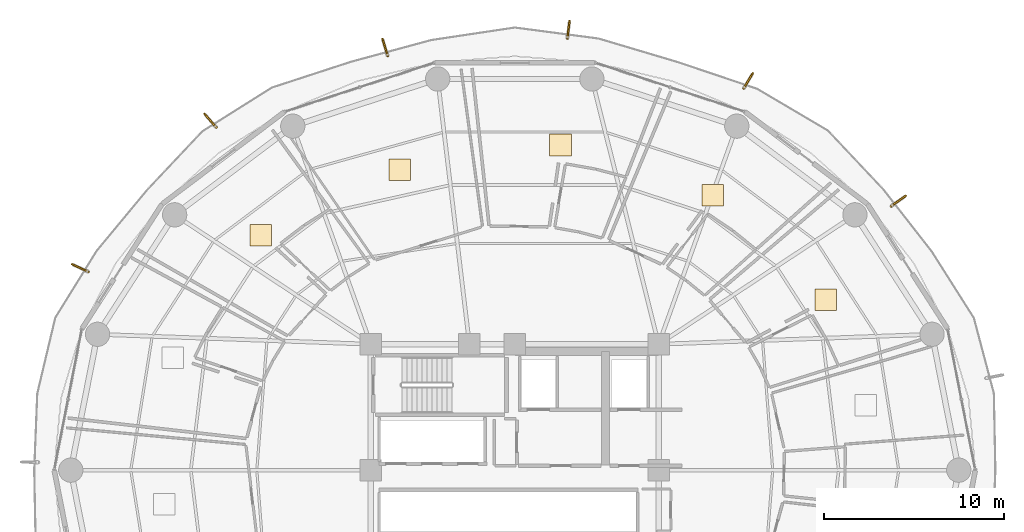
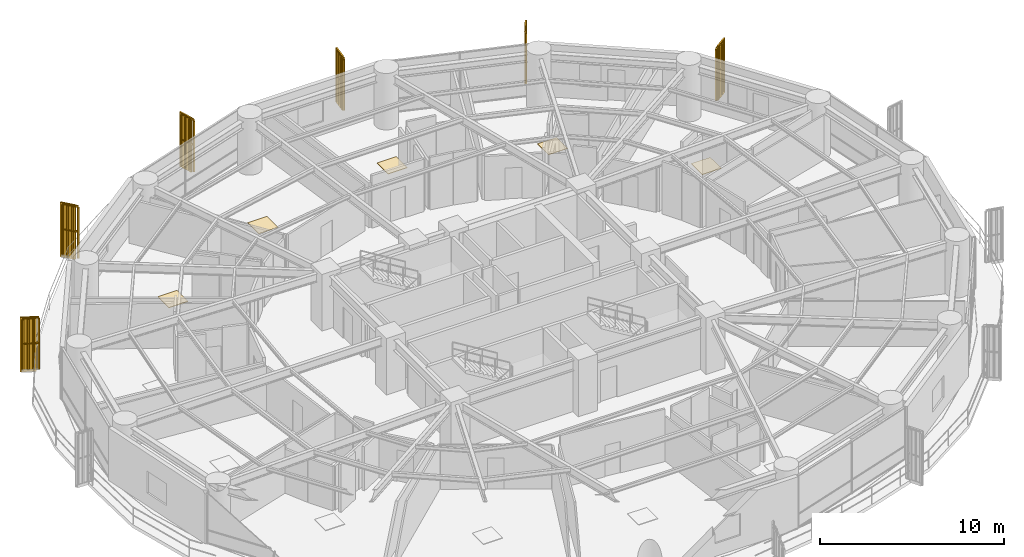
# One storey, part 37 of 37: 6 railings, 6 shading devices, 5 coverings.
"""IFC4 building model written with IfcOpenShell, lengths in metres."""

import ifcopenshell
import ifcopenshell.guid

model = None  # the IFC model being written
_history = None  # IfcOwnerHistory: only IFC2X3 demands one
_inside = {}  # id of a spatial element -> (the spatial element, [elements in it])
_under = {}  # id of a project, library or spatial element -> (it, [spatial elements below it])
_declared = {}  # id of a project -> (the project, [libraries it declares])
_typed = {}  # id of a type object -> (the type object, [elements of that type])
_made_of = {}  # id of a material, layer set ... -> (it, [elements and type objects made of it])


def new_model(schema):
    """Start an empty IFC model of exactly this schema.

    Asked for "IFC4X3", IfcOpenShell would pick the latest addendum, in which some entities
    have other attributes; the version numbers below select the first issue.
    IFC2X3 requires an IfcOwnerHistory on every rooted entity: one is made here for all.
    """
    global model, _history
    if schema == "IFC4X3":
        model = ifcopenshell.file(schema_version=(4, 3, 0, 0))
    else:
        model = ifcopenshell.file(schema=schema)
    _inside.clear()
    _under.clear()
    _declared.clear()
    _typed.clear()
    _made_of.clear()
    _history = None
    if model.schema == "IFC2X3":
        org = make("IfcOrganization", Name="unknown")
        user = make(
            "IfcPersonAndOrganization",
            ThePerson=make("IfcPerson", FamilyName="unknown"),
            TheOrganization=org,
        )
        app = make(
            "IfcApplication",
            ApplicationDeveloper=org,
            Version="unknown",
            ApplicationFullName="unknown",
            ApplicationIdentifier="unknown",
        )
        _history = make(
            "IfcOwnerHistory",
            OwningUser=user,
            OwningApplication=app,
            ChangeAction="ADDED",
            CreationDate=0,
        )
    return model


def make(cls, **values):
    """One entity of the class cls with the attributes given. An attribute that is None is left unset."""
    return model.create_entity(
        cls, **{name: value for name, value in values.items() if value is not None}
    )


def rooted(cls, **values):
    """An entity with a GlobalId (a new one), such as an element, a storey or a relation."""
    return make(cls, GlobalId=ifcopenshell.guid.new(), OwnerHistory=_history, **values)


def si_unit(unit_type, name, prefix=None):
    """IfcSIUnit, for example si_unit("LENGTHUNIT", "METRE", prefix="MILLI")."""
    return make("IfcSIUnit", UnitType=unit_type, Prefix=prefix, Name=name)


def assignment(units):
    """IfcUnitAssignment: the units of a project."""
    return None if units is None else make("IfcUnitAssignment", Units=units)


def point(xyz):
    """IfcCartesianPoint."""
    return None if xyz is None else make("IfcCartesianPoint", Coordinates=xyz)


def direction(xyz):
    """IfcDirection."""
    return None if xyz is None else make("IfcDirection", DirectionRatios=xyz)


def frame(location, z_axis=None, x_axis=None):
    """IfcAxis2Placement3D, a coordinate frame: its origin and axes. An axis left out is left unset."""
    return make(
        "IfcAxis2Placement3D",
        Location=point(location),
        Axis=direction(z_axis),
        RefDirection=direction(x_axis),
    )


def frame_2d(location, x_axis=None):
    """IfcAxis2Placement2D, a coordinate frame in the plane: its origin and x axis."""
    return make(
        "IfcAxis2Placement2D", Location=point(location), RefDirection=direction(x_axis)
    )


def origin():
    """The frame at (0, 0, 0) with its axes left unset."""
    return frame((0.0, 0.0, 0.0))


def origin_2d():
    """The frame at (0, 0) in the plane with its x axis left unset."""
    return frame_2d((0.0, 0.0))


def place(relative_to, where):
    """IfcLocalPlacement: puts the frame where relative to a parent placement (None: the world)."""
    return make(
        "IfcLocalPlacement", PlacementRelTo=relative_to, RelativePlacement=where
    )


def context(
    kind, dimensions, precision=None, world=None, true_north=None, identifier=None
):
    """IfcGeometricRepresentationContext, for example the 3D "Model" context."""
    return make(
        "IfcGeometricRepresentationContext",
        ContextIdentifier=identifier,
        ContextType=kind,
        CoordinateSpaceDimension=dimensions,
        Precision=precision,
        WorldCoordinateSystem=world,
        TrueNorth=true_north,
    )


def subcontext(parent, identifier, kind, view, scale=None):
    """IfcGeometricRepresentationSubContext, for example "Body" below "Model"."""
    return make(
        "IfcGeometricRepresentationSubContext",
        ContextIdentifier=identifier,
        ContextType=kind,
        ParentContext=parent,
        TargetScale=scale,
        TargetView=view,
    )


def project(units=None, contexts=None):
    """IfcProject with its units and contexts."""
    return rooted(
        "IfcProject",
        Name="project",
        RepresentationContexts=contexts,
        UnitsInContext=assignment(units),
    )


def spatial(cls, under=None, at=None, **own):
    """A site, building, storey or space (cls), placed at a placement, below another one or the project."""
    s = rooted(cls, ObjectPlacement=at, **own)
    if under is not None:
        _under.setdefault(under.id(), (under, []))[1].append(s)
    return s


def polyline(points):
    """IfcPolyline through the points."""
    return make("IfcPolyline", Points=[point(p) for p in points])


def profile(cls, at=None, kind="AREA", **sizes):
    """A parametric profile (cls). Its sizes go by their IFC names, for example OverallWidth=200.0."""
    return make(cls, ProfileType=kind, Position=at, **sizes)


def rectangle(**sizes):
    """IfcRectangleProfileDef."""
    return profile("IfcRectangleProfileDef", **sizes)


def outline(outer, holes=None, kind="AREA"):
    """IfcArbitraryClosedProfileDef: a profile drawn as a closed curve; with holes, ...WithVoids."""
    if holes is None:
        return make("IfcArbitraryClosedProfileDef", ProfileType=kind, OuterCurve=outer)
    return make(
        "IfcArbitraryProfileDefWithVoids",
        ProfileType=kind,
        OuterCurve=outer,
        InnerCurves=holes,
    )


def extrude(swept, where, along, depth):
    """IfcExtrudedAreaSolid: the profile swept, set in the frame where, extruded along a direction by depth."""
    return make(
        "IfcExtrudedAreaSolid",
        SweptArea=swept,
        Position=where,
        ExtrudedDirection=direction(along),
        Depth=depth,
    )


def shape(context_of_items, identifier, shape_type, items):
    """IfcShapeRepresentation: the items that make up one representation, for example the "Body"."""
    return make(
        "IfcShapeRepresentation",
        ContextOfItems=context_of_items,
        RepresentationIdentifier=identifier,
        RepresentationType=shape_type,
        Items=items,
    )


def source(mapping_origin, context_of_items, identifier, shape_type, items):
    """IfcRepresentationMap: a shape defined once, which mapped items show again and again."""
    return make(
        "IfcRepresentationMap",
        MappingOrigin=mapping_origin,
        MappedRepresentation=shape(context_of_items, identifier, shape_type, items),
    )


def transform(
    local_origin,
    x_axis=None,
    y_axis=None,
    z_axis=None,
    scale=None,
    scale2=None,
    scale3=None,
    uniform=True,
):
    """IfcCartesianTransformationOperator3D, or its non-uniform kind. x_axis, y_axis, z_axis: its Axis1, 2, 3."""
    if uniform:
        return make(
            "IfcCartesianTransformationOperator3D",
            Axis1=direction(x_axis),
            Axis2=direction(y_axis),
            LocalOrigin=point(local_origin),
            Scale=scale,
            Axis3=direction(z_axis),
        )
    return make(
        "IfcCartesianTransformationOperator3DnonUniform",
        Axis1=direction(x_axis),
        Axis2=direction(y_axis),
        LocalOrigin=point(local_origin),
        Scale=scale,
        Axis3=direction(z_axis),
        Scale2=scale2,
        Scale3=scale3,
    )


def mapped(mapping_source, mapping_target):
    """IfcMappedItem: shows the shape of a source again, moved by a transform."""
    return make(
        "IfcMappedItem", MappingSource=mapping_source, MappingTarget=mapping_target
    )


def material(Name=None, Category=None):
    """IfcMaterial."""
    return make("IfcMaterial", Name=Name, Category=Category)


def layer(
    of_material, thickness, ventilated=None, Name=None, Category=None, Priority=None
):
    """IfcMaterialLayer: one layer of a wall or slab, of a material (None: an air gap)."""
    return make(
        "IfcMaterialLayer",
        Material=of_material,
        LayerThickness=thickness,
        IsVentilated=ventilated,
        Name=Name,
        Category=Category,
        Priority=Priority,
    )


def layer_set(layers, Name=None):
    """IfcMaterialLayerSet."""
    return make("IfcMaterialLayerSet", MaterialLayers=layers, LayerSetName=Name)


def made_of(thing, what):
    """Note that an element or type object is made of a material, layer set ...; save() writes the relation."""
    if what is not None:
        _made_of.setdefault(what.id(), (what, []))[1].append(thing)
    return thing


def type_object(cls, material=None, **own):
    """A type object (cls), such as IfcWallType, which elements share."""
    return made_of(rooted(cls, **own), material)


def element(
    cls,
    number,
    at=None,
    inside=None,
    cuts=None,
    type_object=None,
    material=None,
    context=None,
    identifier="Body",
    shape_type=None,
    held_by="IfcProductDefinitionShape",
    body=None,
    shapes=None,
    **own,
):
    """One element of the class cls, such as IfcWall. Its Tag is "e" and its number.

    at: its placement. inside: the storey or other place that contains it. cuts: it is an
    opening in that element (IfcRelVoidsElement). A single representation is given by context,
    identifier, shape_type and body (its items); several are given by shapes. held_by: the class
    of the entity that holds the representations. save() writes the other relations.
    """
    e = rooted(cls, Tag="e%d" % number, ObjectPlacement=at, **own)
    if body is not None:
        shapes = [shape(context, identifier, shape_type, body)]
    if shapes is not None:
        e.Representation = make(held_by, Representations=shapes)
    if inside is not None:
        _inside.setdefault(inside.id(), (inside, []))[1].append(e)
    if cuts is not None:
        rooted(
            "IfcRelVoidsElement", RelatingBuildingElement=cuts, RelatedOpeningElement=e
        )
    if type_object is not None:
        _typed.setdefault(type_object.id(), (type_object, []))[1].append(e)
    return made_of(e, material)


def aggregate(whole, parts):
    """IfcRelAggregates: a whole, such as a stair, and the parts it consists of."""
    return rooted("IfcRelAggregates", RelatingObject=whole, RelatedObjects=parts)


def save(model, path):
    """Write the relations noted so far, then the file.

    IfcRelAggregates (storeys below a building ...), IfcRelContainedInSpatialStructure (elements
    in a storey), IfcRelDefinesByType, IfcRelAssociatesMaterial and IfcRelDeclares: one each for
    every whole, place, type object, material and project.
    """
    for whole, parts in _under.values():
        aggregate(whole, parts)
    for where, things in _inside.values():
        rooted(
            "IfcRelContainedInSpatialStructure",
            RelatedElements=things,
            RelatingStructure=where,
        )
    for kind, things in _typed.values():
        rooted("IfcRelDefinesByType", RelatedObjects=things, RelatingType=kind)
    for what, things in _made_of.values():
        rooted("IfcRelAssociatesMaterial", RelatedObjects=things, RelatingMaterial=what)
    for by, libraries in _declared.values():
        rooted("IfcRelDeclares", RelatingContext=by, RelatedDefinitions=libraries)
    model.write(path)


model = new_model("IFC4")

# Units and contexts
model_context = context("Model", 3, precision=1e-05, world=origin(), true_north=direction((0.0, 1.0)))
body_context = subcontext(model_context, "Body", "Model", "MODEL_VIEW")
ifc_project = project(units=[si_unit("LENGTHUNIT", "METRE"), si_unit("AREAUNIT", "SQUARE_METRE"), si_unit("VOLUMEUNIT", "CUBIC_METRE"), si_unit("PLANEANGLEUNIT", "RADIAN"), si_unit("MASSUNIT", "GRAM", prefix="KILO")], contexts=[model_context])

# Site, building, storey
site_placement = place(None, origin())
site = spatial("IfcSite", under=ifc_project, at=site_placement, CompositionType="ELEMENT")
building_placement = place(site_placement, origin())
building = spatial("IfcBuilding", under=site, at=building_placement, Name="Kelanora Arch Commons", CompositionType="ELEMENT")
storey_placement = place(building_placement, frame((0.0, 0.0, 113.85009765625)))
storey = spatial("IfcBuildingStorey", under=building, at=storey_placement, Name="L29", CompositionType="ELEMENT", Elevation=113.85009765625)

# Railings
ifc_material_1 = material(Name="Anodised bronze vertical shading fin rib assembly")
railing_type = type_object("IfcRailingType", Name="RAIL-FIN-BRZ", PredefinedType="BALUSTRADE", material=ifc_material_1)
railing_1_placement = place(storey_placement, frame((94.92578125, 72.680908203125, -0.02001953125)))
element("IfcRailing", 1, at=railing_1_placement, inside=storey, type_object=railing_type, Name="Sweeping Bronze Vertical Fin Blade L29-00", PredefinedType="BALUSTRADE", context=body_context, shape_type="SweptSolid", body=[
    extrude(outline(polyline([(0.06982421875, 0.0), (0.034912109375, 0.060546875), (-0.034912109375, 0.060546875), (-0.06982421875, 0.0), (-0.034912109375, -0.060546875), (0.034912109375, -0.060546875), (0.06982421875, 0.0)])), frame((0.0, 0.0, 3.419921875), z_axis=(0.818717032653, 0.574197196479, 0.0), x_axis=(-0.574197196479, 0.818717032653, 0.0)), (0.0, 0.0, 1.0), 0.8916015625),
    extrude(outline(polyline([(0.06982421875, 0.0), (0.034912109375, 0.060546875), (-0.034912109375, 0.060546875), (-0.06982421875, 0.0), (-0.034912109375, -0.060546875), (0.034912109375, -0.060546875), (0.06982421875, 0.0)])), frame((0.0, 0.0, 1.7451171875), z_axis=(0.818717032653, 0.574197196479, 0.0), x_axis=(-0.574197196479, 0.818717032653, 0.0)), (0.0, 0.0, 1.0), 0.8916015625),
    extrude(outline(polyline([(0.080078125, 0.0), (0.0400390625, 0.0693359375), (-0.0400390625, 0.0693359375), (-0.080078125, 0.0), (-0.0400390625, -0.0693359375), (0.0400390625, -0.0693359375), (0.080078125, 0.0)])), origin(), (0.0, 0.0, 1.0), 3.35009765625),
    extrude(outline(polyline([(0.080078125, 0.0), (0.0400390625, 0.0693359375), (-0.0400390625, 0.0693359375), (-0.080078125, 0.0), (-0.0400390625, -0.0693359375), (0.0400390625, -0.0693359375), (0.080078125, 0.0)])), frame((0.243408203125, 0.170654296875, 0.0)), (0.0, 0.0, 1.0), 3.35009765625),
    extrude(outline(polyline([(0.080078125, 0.0), (0.0400390625, 0.0693359375), (-0.0400390625, 0.0693359375), (-0.080078125, 0.0), (-0.0400390625, -0.0693359375), (0.0400390625, -0.0693359375), (0.080078125, 0.0)])), frame((0.486572265625, 0.34130859375, 0.0)), (0.0, 0.0, 1.0), 3.35009765625),
    extrude(outline(polyline([(0.080078125, 0.0), (0.0400390625, 0.0693359375), (-0.0400390625, 0.0693359375), (-0.080078125, 0.0), (-0.0400390625, -0.0693359375), (0.0400390625, -0.0693359375), (0.080078125, 0.0)])), frame((0.72998046875, 0.511962890625, 0.0)), (0.0, 0.0, 1.0), 3.35009765625),
])
railing_2_placement = place(storey_placement, frame((86.726318359375, 79.223876953125, -0.02001953125)))
element("IfcRailing", 2, at=railing_2_placement, inside=storey, type_object=railing_type, Name="Sweeping Bronze Vertical Fin Blade L29-01", PredefinedType="BALUSTRADE", context=body_context, shape_type="SweptSolid", body=[
    extrude(outline(polyline([(0.06982421875, 0.0), (0.034912109375, 0.060546875), (-0.034912109375, 0.060546875), (-0.06982421875, 0.0), (-0.034912109375, -0.060546875), (0.034912109375, -0.060546875), (0.06982421875, 0.0)])), frame((0.0, 0.0, 3.419921875), z_axis=(0.514254119649, 0.857637860885, 0.0), x_axis=(-0.857637860885, 0.514254119649, 0.0)), (0.0, 0.0, 1.0), 0.8916015625),
    extrude(outline(polyline([(0.06982421875, 0.0), (0.034912109375, 0.060546875), (-0.034912109375, 0.060546875), (-0.06982421875, 0.0), (-0.034912109375, -0.060546875), (0.034912109375, -0.060546875), (0.06982421875, 0.0)])), frame((0.0, 0.0, 1.7451171875), z_axis=(0.514254119649, 0.857637860885, 0.0), x_axis=(-0.857637860885, 0.514254119649, 0.0)), (0.0, 0.0, 1.0), 0.8916015625),
    extrude(outline(polyline([(0.080078125, 0.0), (0.0400390625, 0.0693359375), (-0.0400390625, 0.0693359375), (-0.080078125, 0.0), (-0.0400390625, -0.0693359375), (0.0400390625, -0.0693359375), (0.080078125, 0.0)])), origin(), (0.0, 0.0, 1.0), 3.35009765625),
    extrude(outline(polyline([(0.080078125, 0.0), (0.0400390625, 0.0693359375), (-0.0400390625, 0.0693359375), (-0.080078125, 0.0), (-0.0400390625, -0.0693359375), (0.0400390625, -0.0693359375), (0.080078125, 0.0)])), frame((0.15283203125, 0.2548828125, 0.0)), (0.0, 0.0, 1.0), 3.35009765625),
    extrude(outline(polyline([(0.080078125, 0.0), (0.0400390625, 0.0693359375), (-0.0400390625, 0.0693359375), (-0.080078125, 0.0), (-0.0400390625, -0.0693359375), (0.0400390625, -0.0693359375), (0.080078125, 0.0)])), frame((0.3056640625, 0.509765625, 0.0)), (0.0, 0.0, 1.0), 3.35009765625),
    extrude(outline(polyline([(0.080078125, 0.0), (0.0400390625, 0.0693359375), (-0.0400390625, 0.0693359375), (-0.080078125, 0.0), (-0.0400390625, -0.0693359375), (0.0400390625, -0.0693359375), (0.080078125, 0.0)])), frame((0.45849609375, 0.7646484375, 0.0)), (0.0, 0.0, 1.0), 3.35009765625),
])
railing_3_placement = place(storey_placement, frame((76.924560546875, 81.998779296875, -0.02001953125)))
element("IfcRailing", 3, at=railing_3_placement, inside=storey, type_object=railing_type, Name="Sweeping Bronze Vertical Fin Blade L29-02", PredefinedType="BALUSTRADE", context=body_context, shape_type="SweptSolid", body=[
    extrude(outline(polyline([(0.06982421875, 0.0), (0.034912109375, 0.060546875), (-0.034912109375, 0.060546875), (-0.06982421875, 0.0), (-0.034912109375, -0.060546875), (0.034912109375, -0.060546875), (0.06982421875, 0.0)])), frame((0.0, 0.0, 3.419921875), z_axis=(0.121034632272, 0.992648285039, 0.0), x_axis=(-0.992648285039, 0.121034632272, 0.0)), (0.0, 0.0, 1.0), 0.8916015625),
    extrude(outline(polyline([(0.06982421875, 0.0), (0.034912109375, 0.060546875), (-0.034912109375, 0.060546875), (-0.06982421875, 0.0), (-0.034912109375, -0.060546875), (0.034912109375, -0.060546875), (0.06982421875, 0.0)])), frame((0.0, 0.0, 1.7451171875), z_axis=(0.121034632272, 0.992648285039, 0.0), x_axis=(-0.992648285039, 0.121034632272, 0.0)), (0.0, 0.0, 1.0), 0.8916015625),
    extrude(outline(polyline([(0.080078125, 0.0), (0.0400390625, 0.0693359375), (-0.0400390625, 0.0693359375), (-0.080078125, 0.0), (-0.0400390625, -0.0693359375), (0.0400390625, -0.0693359375), (0.080078125, 0.0)])), origin(), (0.0, 0.0, 1.0), 3.35009765625),
    extrude(outline(polyline([(0.080078125, 0.0), (0.0400390625, 0.0693359375), (-0.0400390625, 0.0693359375), (-0.080078125, 0.0), (-0.0400390625, -0.0693359375), (0.0400390625, -0.0693359375), (0.080078125, 0.0)])), frame((0.035888671875, 0.294921875, 0.0)), (0.0, 0.0, 1.0), 3.35009765625),
    extrude(outline(polyline([(0.080078125, 0.0), (0.0400390625, 0.0693359375), (-0.0400390625, 0.0693359375), (-0.080078125, 0.0), (-0.0400390625, -0.0693359375), (0.0400390625, -0.0693359375), (0.080078125, 0.0)])), frame((0.072021484375, 0.590087890625, 0.0)), (0.0, 0.0, 1.0), 3.35009765625),
    extrude(outline(polyline([(0.080078125, 0.0), (0.0400390625, 0.0693359375), (-0.0400390625, 0.0693359375), (-0.080078125, 0.0), (-0.0400390625, -0.0693359375), (0.0400390625, -0.0693359375), (0.080078125, 0.0)])), frame((0.10791015625, 0.885009765625, 0.0)), (0.0, 0.0, 1.0), 3.35009765625),
])
railing_4_placement = place(storey_placement, frame((66.9375, 81.02587890625, -0.02001953125)))
element("IfcRailing", 4, at=railing_4_placement, inside=storey, type_object=railing_type, Name="Sweeping Bronze Vertical Fin Blade L29-03", PredefinedType="BALUSTRADE", context=body_context, shape_type="SweptSolid", body=[
    extrude(outline(polyline([(0.06982421875, 0.0), (0.034912109375, 0.060546875), (-0.034912109375, 0.060546875), (-0.06982421875, 0.0), (-0.034912109375, -0.060546875), (0.034912109375, -0.060546875), (0.06982421875, 0.0)])), frame((0.0, 0.0, 3.419921875), z_axis=(-0.293296755421, 0.956021450209, 0.0), x_axis=(-0.956021450209, -0.293296755421, 0.0)), (0.0, 0.0, 1.0), 0.8916015625),
    extrude(outline(polyline([(0.06982421875, 0.0), (0.034912109375, 0.060546875), (-0.034912109375, 0.060546875), (-0.06982421875, 0.0), (-0.034912109375, -0.060546875), (0.034912109375, -0.060546875), (0.06982421875, 0.0)])), frame((0.0, 0.0, 1.7451171875), z_axis=(-0.293296755421, 0.956021450209, 0.0), x_axis=(-0.956021450209, -0.293296755421, 0.0)), (0.0, 0.0, 1.0), 0.8916015625),
    extrude(outline(polyline([(0.080078125, 0.0), (0.0400390625, 0.0693359375), (-0.0400390625, 0.0693359375), (-0.080078125, 0.0), (-0.0400390625, -0.0693359375), (0.0400390625, -0.0693359375), (0.080078125, 0.0)])), origin(), (0.0, 0.0, 1.0), 3.35009765625),
    extrude(outline(polyline([(0.080078125, 0.0), (0.0400390625, 0.0693359375), (-0.0400390625, 0.0693359375), (-0.080078125, 0.0), (-0.0400390625, -0.0693359375), (0.0400390625, -0.0693359375), (0.080078125, 0.0)])), frame((-0.087158203125, 0.2841796875, 0.0)), (0.0, 0.0, 1.0), 3.35009765625),
    extrude(outline(polyline([(0.080078125, 0.0), (0.0400390625, 0.0693359375), (-0.0400390625, 0.0693359375), (-0.080078125, 0.0), (-0.0400390625, -0.0693359375), (0.0400390625, -0.0693359375), (0.080078125, 0.0)])), frame((-0.17431640625, 0.568115234375, 0.0)), (0.0, 0.0, 1.0), 3.35009765625),
    extrude(outline(polyline([(0.080078125, 0.0), (0.0400390625, 0.0693359375), (-0.0400390625, 0.0693359375), (-0.080078125, 0.0), (-0.0400390625, -0.0693359375), (0.0400390625, -0.0693359375), (0.080078125, 0.0)])), frame((-0.261474609375, 0.852294921875, 0.0)), (0.0, 0.0, 1.0), 3.35009765625),
])
railing_5_placement = place(storey_placement, frame((57.39990234375, 77.06103515625, -0.02001953125)))
element("IfcRailing", 5, at=railing_5_placement, inside=storey, type_object=railing_type, Name="Sweeping Bronze Vertical Fin Blade L29-04", PredefinedType="BALUSTRADE", context=body_context, shape_type="SweptSolid", body=[
    extrude(outline(polyline([(0.06982421875, 0.0), (0.034912109375, 0.060546875), (-0.034912109375, 0.060546875), (-0.06982421875, 0.0), (-0.034912109375, -0.060546875), (0.034912109375, -0.060546875), (0.06982421875, 0.0)])), frame((0.0, 0.0, 3.419921875), z_axis=(-0.656680275135, 0.754169089959, 0.0), x_axis=(-0.754169089959, -0.656680275135, 0.0)), (0.0, 0.0, 1.0), 0.8916015625),
    extrude(outline(polyline([(0.06982421875, 0.0), (0.034912109375, 0.060546875), (-0.034912109375, 0.060546875), (-0.06982421875, 0.0), (-0.034912109375, -0.060546875), (0.034912109375, -0.060546875), (0.06982421875, 0.0)])), frame((0.0, 0.0, 1.7451171875), z_axis=(-0.656680275135, 0.754169089959, 0.0), x_axis=(-0.754169089959, -0.656680275135, 0.0)), (0.0, 0.0, 1.0), 0.8916015625),
    extrude(outline(polyline([(0.080078125, 0.0), (0.0400390625, 0.0693359375), (-0.0400390625, 0.0693359375), (-0.080078125, 0.0), (-0.0400390625, -0.0693359375), (0.0400390625, -0.0693359375), (0.080078125, 0.0)])), origin(), (0.0, 0.0, 1.0), 3.35009765625),
    extrude(outline(polyline([(0.080078125, 0.0), (0.0400390625, 0.0693359375), (-0.0400390625, 0.0693359375), (-0.080078125, 0.0), (-0.0400390625, -0.0693359375), (0.0400390625, -0.0693359375), (0.080078125, 0.0)])), frame((-0.195068359375, 0.22412109375, 0.0)), (0.0, 0.0, 1.0), 3.35009765625),
    extrude(outline(polyline([(0.080078125, 0.0), (0.0400390625, 0.0693359375), (-0.0400390625, 0.0693359375), (-0.080078125, 0.0), (-0.0400390625, -0.0693359375), (0.0400390625, -0.0693359375), (0.080078125, 0.0)])), frame((-0.390380859375, 0.4482421875, 0.0)), (0.0, 0.0, 1.0), 3.35009765625),
    extrude(outline(polyline([(0.080078125, 0.0), (0.0400390625, 0.0693359375), (-0.0400390625, 0.0693359375), (-0.080078125, 0.0), (-0.0400390625, -0.0693359375), (0.0400390625, -0.0693359375), (0.080078125, 0.0)])), frame((-0.58544921875, 0.67236328125, 0.0)), (0.0, 0.0, 1.0), 3.35009765625),
])
railing_6_placement = place(storey_placement, frame((50.2958984375, 69.027099609375, -0.02001953125)))
element("IfcRailing", 6, at=railing_6_placement, inside=storey, type_object=railing_type, Name="Sweeping Bronze Vertical Fin Blade L29-05", PredefinedType="BALUSTRADE", context=body_context, shape_type="SweptSolid", body=[
    extrude(outline(polyline([(0.06982421875, 0.0), (0.034912109375, 0.060546875), (-0.034912109375, 0.060546875), (-0.06982421875, 0.0), (-0.034912109375, -0.060546875), (0.034912109375, -0.060546875), (0.06982421875, 0.0)])), frame((0.0, 0.0, 3.419921875), z_axis=(-0.906567606676, 0.422060628969, 0.0), x_axis=(-0.422060628969, -0.906567606676, 0.0)), (0.0, 0.0, 1.0), 0.891357421875),
    extrude(outline(polyline([(0.06982421875, 0.0), (0.034912109375, 0.060546875), (-0.034912109375, 0.060546875), (-0.06982421875, 0.0), (-0.034912109375, -0.060546875), (0.034912109375, -0.060546875), (0.06982421875, 0.0)])), frame((0.0, 0.0, 1.7451171875), z_axis=(-0.906567606676, 0.422060628969, 0.0), x_axis=(-0.422060628969, -0.906567606676, 0.0)), (0.0, 0.0, 1.0), 0.891357421875),
    extrude(outline(polyline([(0.080078125, 0.0), (0.0400390625, 0.0693359375), (-0.0400390625, 0.0693359375), (-0.080078125, 0.0), (-0.0400390625, -0.0693359375), (0.0400390625, -0.0693359375), (0.080078125, 0.0)])), origin(), (0.0, 0.0, 1.0), 3.35009765625),
    extrude(outline(polyline([(0.080078125, 0.0), (0.0400390625, 0.0693359375), (-0.0400390625, 0.0693359375), (-0.080078125, 0.0), (-0.0400390625, -0.0693359375), (0.0400390625, -0.0693359375), (0.080078125, 0.0)])), frame((-0.269287109375, 0.12548828125, 0.0)), (0.0, 0.0, 1.0), 3.35009765625),
    extrude(outline(polyline([(0.080078125, 0.0), (0.0400390625, 0.0693359375), (-0.0400390625, 0.0693359375), (-0.080078125, 0.0), (-0.0400390625, -0.0693359375), (0.0400390625, -0.0693359375), (0.080078125, 0.0)])), frame((-0.538818359375, 0.250732421875, 0.0)), (0.0, 0.0, 1.0), 3.35009765625),
    extrude(outline(polyline([(0.080078125, 0.0), (0.0400390625, 0.0693359375), (-0.0400390625, 0.0693359375), (-0.080078125, 0.0), (-0.0400390625, -0.0693359375), (0.0400390625, -0.0693359375), (0.080078125, 0.0)])), frame((-0.80810546875, 0.376220703125, 0.0)), (0.0, 0.0, 1.0), 3.35009765625),
])

# Shading devices
ifc_material_2 = material(Name="Terracotta ceramic-clad extruded aluminium fin", Category="masonry")
shading_device_type = type_object("IfcShadingDeviceType", Name="SHD-FIN-FLARE", PredefinedType="USERDEFINED", material=ifc_material_2)
shared_shape_1 = source(origin(), body_context, "Body", "SweptSolid", [
    extrude(rectangle(XDim=0.8798828125, YDim=0.090087890625, at=origin_2d()), origin(), (0.0, 0.0, 1.0), 3.610107421875),
])
for number, where, z_axis, x_axis, name in (
    (7, (95.405517578125, 73.01708984375, -0.14013671875), (0.0, 0.0, 1.0), (0.818651192576, 0.574291062871, 0.0), "Sweeping Terracotta Fin L29-00"),
    (8, (87.027587890625, 79.726318359375, -0.14013671875), (0.0, 0.0, 1.0), (0.514289859311, 0.857616429769, 0.0), "Sweeping Terracotta Fin L29-01"),
    (9, (76.995361328125, 82.580322265625, -0.14013671875), (0.0, 0.0, 1.0), (0.121003137194, 0.992652124759, 0.0), "Sweeping Terracotta Fin L29-02"),
    (10, (66.765625, 81.585693359375, -0.14013671875), (0.0, 0.0, 1.0), (-0.293206126622, 0.956049249417, 0.0), "Sweeping Terracotta Fin L29-03"),
    (11, (57.015380859375, 77.502685546875, -0.14013671875), (0.0, 0.0, 1.0), (-0.656717387452, 0.754136773416, 0.0), "Sweeping Terracotta Fin L29-04"),
    (12, (49.764892578125, 69.274169921875, -0.14013671875), (0.0, 0.0, 1.0), (-0.906676245901, 0.421827198174, 0.0), "Sweeping Terracotta Fin L29-05"),
):
    element("IfcShadingDevice", number, at=place(storey_placement, frame(where, z_axis=z_axis, x_axis=x_axis)), inside=storey, type_object=shading_device_type, Name=name, ObjectType="FIN", PredefinedType="USERDEFINED", context=body_context, shape_type="MappedRepresentation", body=[
        mapped(shared_shape_1, transform((0.0, 0.0, 0.0), scale=1.0)),
    ])

# Coverings
ifc_material_3 = material(Name="Polished local granite terrazzo flooring", Category="masonry")
ifc_layer = layer(ifc_material_3, 0.030029296875)
ifc_layer_set = layer_set([ifc_layer], Name="Polished local granite terrazzo flooring")
covering_type = type_object("IfcCoveringType", Name="COV-FLR-TER", PredefinedType="FLOORING", material=ifc_layer_set)
shared_shape_2 = source(origin(), body_context, "Body", "SweptSolid", [
    extrude(rectangle(XDim=1.199951171875, YDim=1.199951171875, at=origin_2d()), origin(), (0.0, 0.0, 1.0), 0.030029296875),
])
for number, where, z_axis, x_axis, name in (
    (13, (91.287353515625, 67.482421875, 0.0), (0.0, 0.0, 1.0), (1.0, 0.0, 0.0), "Co-Living Studio L29-01 Terrazzo Finish"),
    (14, (85.00390625, 73.2919921875, 0.0), (0.0, 0.0, 1.0), (1.0, 0.0, 0.0), "Co-Living Studio L29-02 Terrazzo Finish"),
    (15, (76.54150390625, 76.073486328125, 0.0), (0.0, 0.0, 1.0), (1.0, 0.0, 0.0), "Co-Living Studio L29-03 Terrazzo Finish"),
    (16, (67.6171875, 74.6884765625, 0.0), (0.0, 0.0, 1.0), (1.0, 0.0, 0.0), "Communal Dining and Social Hall L29-04 Terrazzo Finish"),
    (17, (59.8818359375, 71.054931640625, 0.0), (0.0, 0.0, 1.0), (1.0, 0.0, 0.0), "Co-Living Studio L29-05 Terrazzo Finish"),
):
    element("IfcCovering", number, at=place(storey_placement, frame(where, z_axis=z_axis, x_axis=x_axis)), inside=storey, type_object=covering_type, Name=name, PredefinedType="FLOORING", context=body_context, shape_type="MappedRepresentation", body=[
        mapped(shared_shape_2, transform((0.0, 0.0, 0.0), scale=1.0)),
    ])

save(model, "model.ifc")
